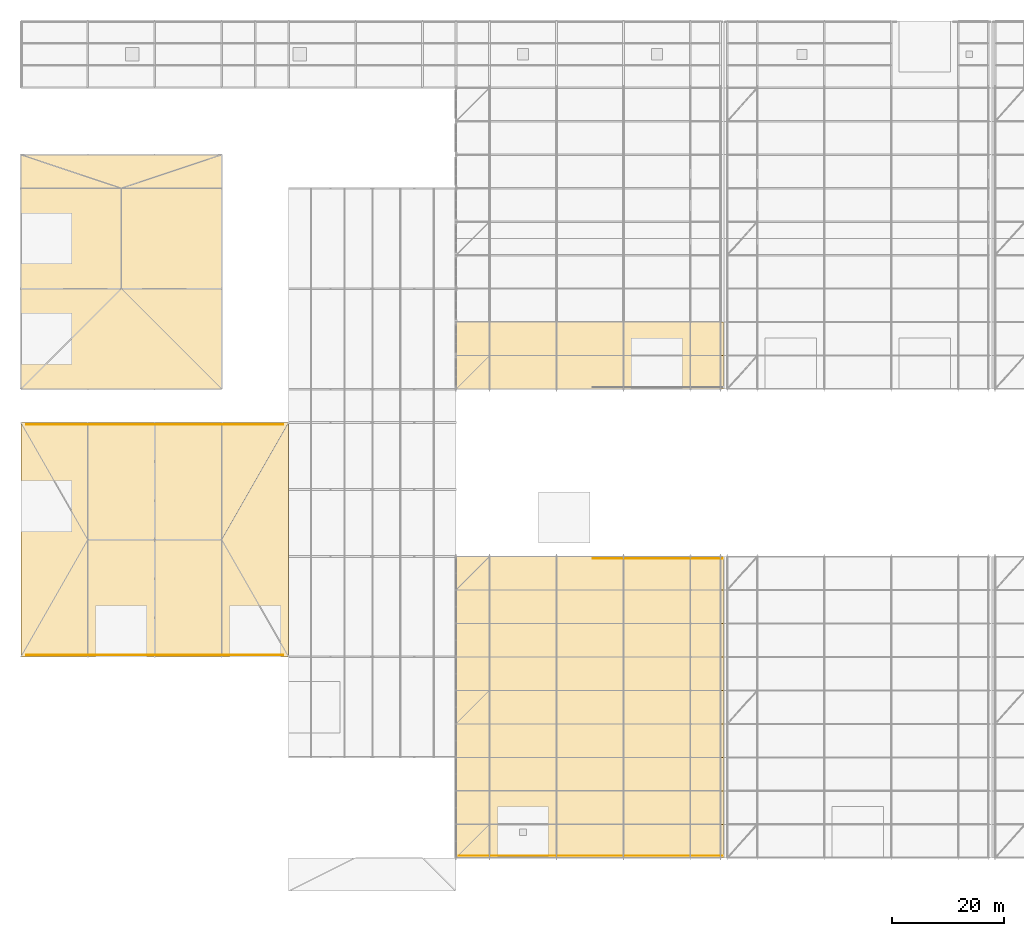
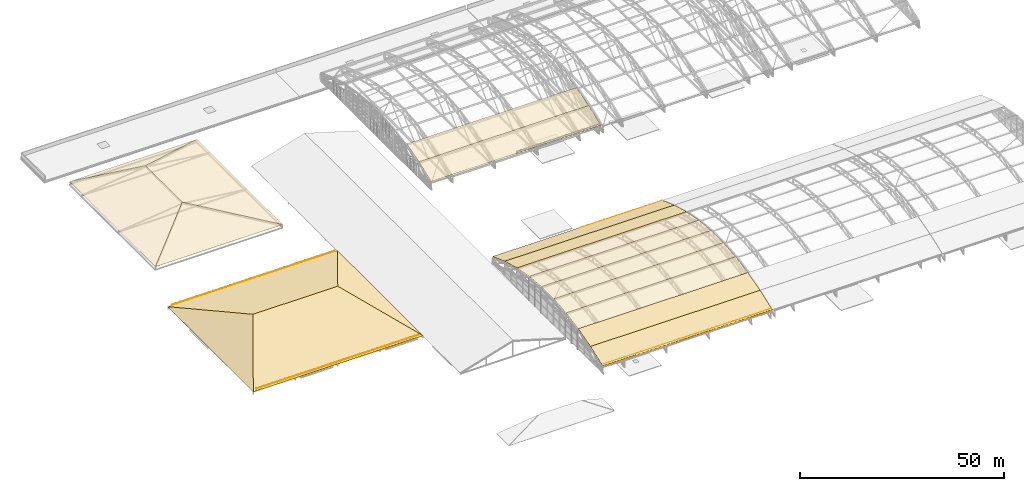
# One storey, part 203 of 204: 19 coverings, 4 railings.
"""IFC4 building model written with IfcOpenShell, lengths in metres."""

from ifc_helpers import new_model, si_unit, direction, frame, origin, origin_2d, place, context, subcontext, project, spatial, polyline, circle, outline, extrude, material, layer, layer_set, type_object, element, save


model = new_model("IFC4")

# Units and contexts
model_context = context("Model", 3, precision=1e-05, world=origin(), true_north=direction((0.0, 1.0)))
body_context = subcontext(model_context, "Body", "Model", "MODEL_VIEW")
ifc_project = project(units=[si_unit("LENGTHUNIT", "METRE"), si_unit("AREAUNIT", "SQUARE_METRE"), si_unit("VOLUMEUNIT", "CUBIC_METRE"), si_unit("PLANEANGLEUNIT", "RADIAN"), si_unit("MASSUNIT", "GRAM", prefix="KILO")], contexts=[model_context])

# Site, building, storey
site_placement = place(None, origin())
site = spatial("IfcSite", under=ifc_project, at=site_placement, CompositionType="ELEMENT")
building_placement = place(site_placement, origin())
building = spatial("IfcBuilding", under=site, at=building_placement, Name="Zilviju Railside Exhibition Hall", CompositionType="ELEMENT")
storey_placement = place(building_placement, frame((0.0, 0.0, 21.0)))
storey = spatial("IfcBuildingStorey", under=building, at=storey_placement, Name="RF", CompositionType="ELEMENT", Elevation=21.0)

# Coverings
ifc_material_1 = material(Name="Patinated copper standing-seam roofing", Category="steel")
ifc_layer_1 = layer(ifc_material_1, 0.034912109375)
ifc_layer_set_1 = layer_set([ifc_layer_1], Name="Patinated copper standing-seam roofing")
covering_type_1 = type_object("IfcCoveringType", Name="COV-ROOF-COPPER", PredefinedType="ROOFING", material=ifc_layer_set_1)
for number, where, z_axis, x_axis, name in (
    (1, (0.0, 36.0, -7.885009765625), (0.0, -0.285253594774, 0.958452078441), (1.0, 0.0, 0.0), "Congress Patinated-Copper Standing-Seam Facet 1"),
    (2, (48.0, 78.0, -7.885009765625), (0.0, 0.285253594774, 0.958452078441), (-1.0, 0.0, 0.0), "Congress Patinated-Copper Standing-Seam Facet 2"),
):
    element("IfcCovering", number, at=place(storey_placement, frame(where, z_axis=z_axis, x_axis=x_axis)), inside=storey, type_object=covering_type_1, Name=name, PredefinedType="ROOFING", context=body_context, shape_type="SweptSolid", body=[
        extrude(outline(polyline([(0.0, 0.0), (48.0, 0.0), (36.0, 21.910328614605486), (12.0, 21.910328614605486), (0.0, 0.0)])), origin(), (0.0, 0.0, -1.0), 0.034912109375),
    ])
for number, where, z_axis, x_axis, name in (
    (3, (0.0, 78.0, -7.885009765625), (-0.461934418837, 0.0, 0.886914084167), (0.0, -1.0, 0.0), "Congress Patinated-Copper Standing-Seam Facet 3"),
    (4, (48.0, 36.0, -7.885009765625), (0.461934418837, 0.0, 0.886914084167), (0.0, 1.0, 0.0), "Congress Patinated-Copper Standing-Seam Facet 4"),
):
    element("IfcCovering", number, at=place(storey_placement, frame(where, z_axis=z_axis, x_axis=x_axis)), inside=storey, type_object=covering_type_1, Name=name, PredefinedType="ROOFING", context=body_context, shape_type="SweptSolid", body=[
        extrude(outline(polyline([(0.0, 0.0), (42.0, 0.0), (21.0, 13.530059127734809), (0.0, 0.0)])), origin(), (0.0, 0.0, -1.0), 0.034912109375),
    ])
ifc_material_2 = material(Name="Standing-seam patinated zinc-copper roofing", Category="steel")
ifc_layer_2 = layer(ifc_material_2, 0.0400390625)
ifc_layer_set_2 = layer_set([ifc_layer_2], Name="Standing-seam patinated zinc-copper roofing")
covering_type_2 = type_object("IfcCoveringType", Name="COV-ROOF-ZINC", PredefinedType="ROOFING", material=ifc_layer_set_2)
covering_1_placement = place(storey_placement, frame((78.0, 0.0, -5.635009765625), z_axis=(0.0, -0.345963648468, 0.938247917098), x_axis=(1.0, 0.0, 0.0)))
element("IfcCovering", 5, at=covering_1_placement, inside=storey, type_object=covering_type_2, Name="V1 Standing-Seam Roofing Facet B1.1", PredefinedType="ROOFING", context=body_context, shape_type="SweptSolid", body=[
    extrude(outline(polyline([(0.0, 0.0), (47.969970703125, 0.0), (47.969970703125, 6.394898289310824), (0.0, 6.394898289310824), (0.0, 0.0)])), origin(), (0.0, 0.0, -1.0), 0.0400390625),
])
covering_2_placement = place(storey_placement, frame((78.0, 6.0, -3.422607421875), z_axis=(0.0, -0.266527144223, 0.963827412659), x_axis=(1.0, 0.0, 0.0)))
element("IfcCovering", 6, at=covering_2_placement, inside=storey, type_object=covering_type_2, Name="V1 Standing-Seam Roofing Facet B1.2", PredefinedType="ROOFING", context=body_context, shape_type="SweptSolid", body=[
    extrude(outline(polyline([(0.0, 0.0), (47.969970703125, 0.0), (47.969970703125, 6.225180899814286), (0.0, 6.225180899814286), (0.0, 0.0)])), origin(), (0.0, 0.0, -1.0), 0.0400390625),
])
covering_3_placement = place(storey_placement, frame((78.0, 12.0, -1.763427734375), z_axis=(0.0, -0.18131112606, 0.98342578549), x_axis=(1.0, 0.0, 0.0)))
element("IfcCovering", 7, at=covering_3_placement, inside=storey, type_object=covering_type_2, Name="V1 Standing-Seam Roofing Facet B1.3", PredefinedType="ROOFING", context=body_context, shape_type="SweptSolid", body=[
    extrude(outline(polyline([(0.0, 0.0), (47.969970703125, 0.0), (47.969970703125, 6.101121293062253), (0.0, 6.101121293062253), (0.0, 0.0)])), origin(), (0.0, 0.0, -1.0), 0.0400390625),
])
covering_4_placement = place(storey_placement, frame((78.0, 18.0, -0.6572265625), z_axis=(0.0, -0.091774143746, 0.99577984843), x_axis=(1.0, 0.0, 0.0)))
element("IfcCovering", 8, at=covering_4_placement, inside=storey, type_object=covering_type_2, Name="V1 Standing-Seam Roofing Facet B1.4", PredefinedType="ROOFING", context=body_context, shape_type="SweptSolid", body=[
    extrude(outline(polyline([(0.0, 0.0), (47.969970703125, 0.0), (47.969970703125, 6.025428220362669), (0.0, 6.025428220362669), (0.0, 0.0)])), origin(), (0.0, 0.0, -1.0), 0.0400390625),
])
covering_5_placement = place(storey_placement, frame((78.0, 24.0, -0.104248046875), z_axis=(0.0, 0.0, 1.0), x_axis=(1.0, 0.0, 0.0)))
element("IfcCovering", 9, at=covering_5_placement, inside=storey, type_object=covering_type_2, Name="V1 Standing-Seam Roofing Facet B1.5", PredefinedType="ROOFING", context=body_context, shape_type="SweptSolid", body=[
    extrude(outline(polyline([(0.0, 0.0), (47.969970703125, 0.0), (47.969970703125, 6.0), (0.0, 6.0), (0.0, 0.0)])), origin(), (0.0, 0.0, -1.0), 0.0400390625),
])
covering_6_placement = place(storey_placement, frame((78.0, 30.0, -0.104248046875), z_axis=(0.0, 0.091774143746, 0.99577984843), x_axis=(1.0, 0.0, 0.0)))
element("IfcCovering", 10, at=covering_6_placement, inside=storey, type_object=covering_type_2, Name="V1 Standing-Seam Roofing Facet B1.6", PredefinedType="ROOFING", context=body_context, shape_type="SweptSolid", body=[
    extrude(outline(polyline([(0.0, 0.0), (47.969970703125, 0.0), (47.969970703125, 6.025428220362669), (0.0, 6.025428220362669), (0.0, 0.0)])), origin(), (0.0, 0.0, -1.0), 0.0400390625),
])
covering_7_placement = place(storey_placement, frame((78.0, 36.0, -0.6572265625), z_axis=(0.0, 0.18131112606, 0.98342578549), x_axis=(1.0, 0.0, 0.0)))
element("IfcCovering", 11, at=covering_7_placement, inside=storey, type_object=covering_type_2, Name="V1 Standing-Seam Roofing Facet B1.7", PredefinedType="ROOFING", context=body_context, shape_type="SweptSolid", body=[
    extrude(outline(polyline([(0.0, 0.0), (47.969970703125, 0.0), (47.969970703125, 6.101121293062253), (0.0, 6.101121293062253), (0.0, 0.0)])), origin(), (0.0, 0.0, -1.0), 0.0400390625),
])
covering_8_placement = place(storey_placement, frame((78.0, 42.0, -1.763427734375), z_axis=(0.0, 0.266527144223, 0.963827412659), x_axis=(1.0, 0.0, 0.0)))
element("IfcCovering", 12, at=covering_8_placement, inside=storey, type_object=covering_type_2, Name="V1 Standing-Seam Roofing Facet B1.8", PredefinedType="ROOFING", context=body_context, shape_type="SweptSolid", body=[
    extrude(outline(polyline([(0.0, 0.0), (47.969970703125, 0.0), (47.969970703125, 6.225180899814286), (0.0, 6.225180899814286), (0.0, 0.0)])), origin(), (0.0, 0.0, -1.0), 0.0400390625),
])
covering_9_placement = place(storey_placement, frame((78.0, 48.0, -3.422607421875), z_axis=(0.0, 0.345963648468, 0.938247917098), x_axis=(1.0, 0.0, 0.0)))
element("IfcCovering", 13, at=covering_9_placement, inside=storey, type_object=covering_type_2, Name="V1 Standing-Seam Roofing Facet B1.9", PredefinedType="ROOFING", context=body_context, shape_type="SweptSolid", body=[
    extrude(outline(polyline([(0.0, 0.0), (47.969970703125, 0.0), (47.969970703125, 6.394898289310824), (0.0, 6.394898289310824), (0.0, 0.0)])), origin(), (0.0, 0.0, -1.0), 0.0400390625),
])
covering_10_placement = place(storey_placement, frame((78.0, 84.0, -1.425048828125), z_axis=(0.0, -0.35678239229, 0.934187521086), x_axis=(1.0, 0.0, 0.0)))
element("IfcCovering", 14, at=covering_10_placement, inside=storey, type_object=covering_type_2, Name="V2 Standing-Seam Roofing Facet B1.1", PredefinedType="ROOFING", context=body_context, shape_type="SweptSolid", body=[
    extrude(outline(polyline([(0.0, 0.0), (47.969970703125, 0.0), (47.969970703125, 6.422693372126603), (0.0, 6.422693372126603), (0.0, 0.0)])), origin(), (0.0, 0.0, -1.0), 0.0400390625),
])
covering_11_placement = place(storey_placement, frame((78.0, 90.0, 0.866455078125), z_axis=(0.0, -0.275346207512, 0.961345133658), x_axis=(1.0, 0.0, 0.0)))
element("IfcCovering", 15, at=covering_11_placement, inside=storey, type_object=covering_type_2, Name="V2 Standing-Seam Roofing Facet B1.2", PredefinedType="ROOFING", context=body_context, shape_type="SweptSolid", body=[
    extrude(outline(polyline([(0.0, 0.0), (47.969970703125, 0.0), (47.969970703125, 6.241254872916681), (0.0, 6.241254872916681), (0.0, 0.0)])), origin(), (0.0, 0.0, -1.0), 0.0400390625),
])
covering_12_placement = place(storey_placement, frame((0.0, 84.0, 0.419921875), z_axis=(-0.11588601599, 0.0, 0.993262518823), x_axis=(0.0, 1.0, 0.0)))
element("IfcCovering", 16, at=covering_12_placement, inside=storey, type_object=covering_type_2, Name="Directorate Slate-Zinc Standing-Seam Facet 1", PredefinedType="ROOFING", context=body_context, shape_type="SweptSolid", body=[
    extrude(outline(polyline([(0.0, 0.0), (42.0, 0.0), (36.0, -18.122097289380903), (18.0, -18.122097289380903), (0.0, 0.0)])), origin(), (0.0, 0.0, -1.0), 0.0400390625),
])
covering_13_placement = place(storey_placement, frame((36.0, 126.0, 0.419921875), z_axis=(0.11588601599, 0.0, 0.993262518823), x_axis=(0.0, -1.0, 0.0)))
element("IfcCovering", 17, at=covering_13_placement, inside=storey, type_object=covering_type_2, Name="Directorate Slate-Zinc Standing-Seam Facet 2", PredefinedType="ROOFING", context=body_context, shape_type="SweptSolid", body=[
    extrude(outline(polyline([(0.0, 0.0), (42.0, 0.0), (24.0, -18.122097289380903), (6.0, -18.122097289380903), (0.0, 0.0)])), origin(), (0.0, 0.0, -1.0), 0.0400390625),
])
covering_14_placement = place(storey_placement, frame((0.0, 84.0, 0.419921875), z_axis=(0.0, -0.11588601599, 0.993262518823), x_axis=(1.0, 0.0, 0.0)))
element("IfcCovering", 18, at=covering_14_placement, inside=storey, type_object=covering_type_2, Name="Directorate Slate-Zinc Standing-Seam Facet 3", PredefinedType="ROOFING", context=body_context, shape_type="SweptSolid", body=[
    extrude(outline(polyline([(0.0, 0.0), (36.0, 0.0), (18.0, 18.122097289380907), (0.0, 0.0)])), origin(), (0.0, 0.0, -1.0), 0.0400390625),
])
covering_15_placement = place(storey_placement, frame((36.0, 126.0, 0.419921875), z_axis=(0.0, 0.330364110395, 0.943853566271), x_axis=(-1.0, 0.0, 0.0)))
element("IfcCovering", 19, at=covering_15_placement, inside=storey, type_object=covering_type_2, Name="Directorate Slate-Zinc Standing-Seam Facet 4", PredefinedType="ROOFING", context=body_context, shape_type="SweptSolid", body=[
    extrude(outline(polyline([(0.0, 0.0), (36.0, 0.0), (18.0, 6.356918291577039), (0.0, 0.0)])), origin(), (0.0, 0.0, -1.0), 0.0400390625),
])

# Railings
ifc_material_3 = material(Name="Galvanized steel twin-tube roof snow-retention guard", Category="steel")
railing_type = type_object("IfcRailingType", Name="RL-SNOW-350", PredefinedType="GUARDRAIL", material=ifc_material_3)
railing_1_placement = place(storey_placement, frame((78.5, 0.35009765625, -5.89990234375)))
element("IfcRailing", 20, at=railing_1_placement, inside=storey, type_object=railing_type, Name="Roof Eave Snow-Retention Guard SN-V1-S", PredefinedType="GUARDRAIL", context=body_context, shape_type="SweptSolid", body=[
    extrude(circle(Radius=0.02392578125, at=origin_2d()), frame((0.021728515625, 0.0, 0.326171875), z_axis=(1.0, 0.0, 0.0), x_axis=(0.0, 1.0, 0.0)), (0.0, 0.0, 1.0), 47.25634765625),
    extrude(circle(Radius=0.02099609375, at=origin_2d()), origin(), (0.0, 0.0, 1.0), 0.35009765625),
    extrude(circle(Radius=0.02099609375, at=origin_2d()), frame((1.1826171875, 0.0, 0.0)), (0.0, 0.0, 1.0), 0.35009765625),
    extrude(circle(Radius=0.02099609375, at=origin_2d()), frame((2.364990234375, 0.0, 0.0)), (0.0, 0.0, 1.0), 0.35009765625),
    extrude(circle(Radius=0.02099609375, at=origin_2d()), frame((3.547607421875, 0.0, 0.0)), (0.0, 0.0, 1.0), 0.35009765625),
    extrude(circle(Radius=0.02099609375, at=origin_2d()), frame((4.72998046875, 0.0, 0.0)), (0.0, 0.0, 1.0), 0.35009765625),
    extrude(circle(Radius=0.02099609375, at=origin_2d()), frame((5.91259765625, 0.0, 0.0)), (0.0, 0.0, 1.0), 0.35009765625),
    extrude(circle(Radius=0.02099609375, at=origin_2d()), frame((7.094970703125, 0.0, 0.0)), (0.0, 0.0, 1.0), 0.35009765625),
    extrude(circle(Radius=0.02099609375, at=origin_2d()), frame((8.277587890625, 0.0, 0.0)), (0.0, 0.0, 1.0), 0.35009765625),
    extrude(circle(Radius=0.02099609375, at=origin_2d()), frame((9.4599609375, 0.0, 0.0)), (0.0, 0.0, 1.0), 0.35009765625),
    extrude(circle(Radius=0.02099609375, at=origin_2d()), frame((10.642578125, 0.0, 0.0)), (0.0, 0.0, 1.0), 0.35009765625),
    extrude(circle(Radius=0.02099609375, at=origin_2d()), frame((11.824951171875, 0.0, 0.0)), (0.0, 0.0, 1.0), 0.35009765625),
    extrude(circle(Radius=0.02099609375, at=origin_2d()), frame((13.007568359375, 0.0, 0.0)), (0.0, 0.0, 1.0), 0.35009765625),
    extrude(circle(Radius=0.02099609375, at=origin_2d()), frame((14.18994140625, 0.0, 0.0)), (0.0, 0.0, 1.0), 0.35009765625),
    extrude(circle(Radius=0.02099609375, at=origin_2d()), frame((15.37255859375, 0.0, 0.0)), (0.0, 0.0, 1.0), 0.35009765625),
    extrude(circle(Radius=0.02099609375, at=origin_2d()), frame((16.554931640625, 0.0, 0.0)), (0.0, 0.0, 1.0), 0.35009765625),
    extrude(circle(Radius=0.02099609375, at=origin_2d()), frame((17.737548828125, 0.0, 0.0)), (0.0, 0.0, 1.0), 0.35009765625),
    extrude(circle(Radius=0.02099609375, at=origin_2d()), frame((18.919921875, 0.0, 0.0)), (0.0, 0.0, 1.0), 0.35009765625),
    extrude(circle(Radius=0.02099609375, at=origin_2d()), frame((20.1025390625, 0.0, 0.0)), (0.0, 0.0, 1.0), 0.35009765625),
    extrude(circle(Radius=0.02099609375, at=origin_2d()), frame((21.284912109375, 0.0, 0.0)), (0.0, 0.0, 1.0), 0.35009765625),
    extrude(circle(Radius=0.02099609375, at=origin_2d()), frame((22.467529296875, 0.0, 0.0)), (0.0, 0.0, 1.0), 0.35009765625),
    extrude(circle(Radius=0.02099609375, at=origin_2d()), frame((23.64990234375, 0.0, 0.0)), (0.0, 0.0, 1.0), 0.35009765625),
    extrude(circle(Radius=0.02099609375, at=origin_2d()), frame((24.83251953125, 0.0, 0.0)), (0.0, 0.0, 1.0), 0.35009765625),
    extrude(circle(Radius=0.02099609375, at=origin_2d()), frame((26.01513671875, 0.0, 0.0)), (0.0, 0.0, 1.0), 0.35009765625),
    extrude(circle(Radius=0.02099609375, at=origin_2d()), frame((27.197509765625, 0.0, 0.0)), (0.0, 0.0, 1.0), 0.35009765625),
    extrude(circle(Radius=0.02099609375, at=origin_2d()), frame((28.380126953125, 0.0, 0.0)), (0.0, 0.0, 1.0), 0.35009765625),
    extrude(circle(Radius=0.02099609375, at=origin_2d()), frame((29.5625, 0.0, 0.0)), (0.0, 0.0, 1.0), 0.35009765625),
    extrude(circle(Radius=0.02099609375, at=origin_2d()), frame((30.7451171875, 0.0, 0.0)), (0.0, 0.0, 1.0), 0.35009765625),
    extrude(circle(Radius=0.02099609375, at=origin_2d()), frame((31.927490234375, 0.0, 0.0)), (0.0, 0.0, 1.0), 0.35009765625),
    extrude(circle(Radius=0.02099609375, at=origin_2d()), frame((33.110107421875, 0.0, 0.0)), (0.0, 0.0, 1.0), 0.35009765625),
    extrude(circle(Radius=0.02099609375, at=origin_2d()), frame((34.29248046875, 0.0, 0.0)), (0.0, 0.0, 1.0), 0.35009765625),
    extrude(circle(Radius=0.02099609375, at=origin_2d()), frame((35.47509765625, 0.0, 0.0)), (0.0, 0.0, 1.0), 0.35009765625),
    extrude(circle(Radius=0.02099609375, at=origin_2d()), frame((36.657470703125, 0.0, 0.0)), (0.0, 0.0, 1.0), 0.35009765625),
    extrude(circle(Radius=0.02099609375, at=origin_2d()), frame((37.840087890625, 0.0, 0.0)), (0.0, 0.0, 1.0), 0.35009765625),
    extrude(circle(Radius=0.02099609375, at=origin_2d()), frame((39.0224609375, 0.0, 0.0)), (0.0, 0.0, 1.0), 0.35009765625),
    extrude(circle(Radius=0.02099609375, at=origin_2d()), frame((40.205078125, 0.0, 0.0)), (0.0, 0.0, 1.0), 0.35009765625),
    extrude(circle(Radius=0.02099609375, at=origin_2d()), frame((41.387451171875, 0.0, 0.0)), (0.0, 0.0, 1.0), 0.35009765625),
    extrude(circle(Radius=0.02099609375, at=origin_2d()), frame((42.570068359375, 0.0, 0.0)), (0.0, 0.0, 1.0), 0.35009765625),
    extrude(circle(Radius=0.02099609375, at=origin_2d()), frame((43.75244140625, 0.0, 0.0)), (0.0, 0.0, 1.0), 0.35009765625),
    extrude(circle(Radius=0.02099609375, at=origin_2d()), frame((44.93505859375, 0.0, 0.0)), (0.0, 0.0, 1.0), 0.35009765625),
    extrude(circle(Radius=0.02099609375, at=origin_2d()), frame((46.117431640625, 0.0, 0.0)), (0.0, 0.0, 1.0), 0.35009765625),
    extrude(circle(Radius=0.02099609375, at=origin_2d()), frame((47.300048828125, 0.0, 0.0)), (0.0, 0.0, 1.0), 0.35009765625),
])
railing_2_placement = place(storey_placement, frame((102.5, 53.64990234375, -5.89990234375)))
element("IfcRailing", 21, at=railing_2_placement, inside=storey, type_object=railing_type, Name="Roof Eave Snow-Retention Guard SN-V1-N", PredefinedType="GUARDRAIL", context=body_context, shape_type="SweptSolid", body=[
    extrude(circle(Radius=0.02392578125, at=origin_2d()), frame((0.021728515625, 0.0, 0.326171875), z_axis=(1.0, 0.0, 0.0), x_axis=(0.0, 1.0, 0.0)), (0.0, 0.0, 1.0), 23.25634765625),
    extrude(circle(Radius=0.02099609375, at=origin_2d()), origin(), (0.0, 0.0, 1.0), 0.35009765625),
    extrude(circle(Radius=0.02099609375, at=origin_2d()), frame((1.1650390625, 0.0, 0.0)), (0.0, 0.0, 1.0), 0.35009765625),
    extrude(circle(Radius=0.02099609375, at=origin_2d()), frame((2.330078125, 0.0, 0.0)), (0.0, 0.0, 1.0), 0.35009765625),
    extrude(circle(Radius=0.02099609375, at=origin_2d()), frame((3.4951171875, 0.0, 0.0)), (0.0, 0.0, 1.0), 0.35009765625),
    extrude(circle(Radius=0.02099609375, at=origin_2d()), frame((4.659912109375, 0.0, 0.0)), (0.0, 0.0, 1.0), 0.35009765625),
    extrude(circle(Radius=0.02099609375, at=origin_2d()), frame((5.824951171875, 0.0, 0.0)), (0.0, 0.0, 1.0), 0.35009765625),
    extrude(circle(Radius=0.02099609375, at=origin_2d()), frame((6.989990234375, 0.0, 0.0)), (0.0, 0.0, 1.0), 0.35009765625),
    extrude(circle(Radius=0.02099609375, at=origin_2d()), frame((8.155029296875, 0.0, 0.0)), (0.0, 0.0, 1.0), 0.35009765625),
    extrude(circle(Radius=0.02099609375, at=origin_2d()), frame((9.320068359375, 0.0, 0.0)), (0.0, 0.0, 1.0), 0.35009765625),
    extrude(circle(Radius=0.02099609375, at=origin_2d()), frame((10.485107421875, 0.0, 0.0)), (0.0, 0.0, 1.0), 0.35009765625),
    extrude(circle(Radius=0.02099609375, at=origin_2d()), frame((11.64990234375, 0.0, 0.0)), (0.0, 0.0, 1.0), 0.35009765625),
    extrude(circle(Radius=0.02099609375, at=origin_2d()), frame((12.81494140625, 0.0, 0.0)), (0.0, 0.0, 1.0), 0.35009765625),
    extrude(circle(Radius=0.02099609375, at=origin_2d()), frame((13.97998046875, 0.0, 0.0)), (0.0, 0.0, 1.0), 0.35009765625),
    extrude(circle(Radius=0.02099609375, at=origin_2d()), frame((15.14501953125, 0.0, 0.0)), (0.0, 0.0, 1.0), 0.35009765625),
    extrude(circle(Radius=0.02099609375, at=origin_2d()), frame((16.31005859375, 0.0, 0.0)), (0.0, 0.0, 1.0), 0.35009765625),
    extrude(circle(Radius=0.02099609375, at=origin_2d()), frame((17.47509765625, 0.0, 0.0)), (0.0, 0.0, 1.0), 0.35009765625),
    extrude(circle(Radius=0.02099609375, at=origin_2d()), frame((18.64013671875, 0.0, 0.0)), (0.0, 0.0, 1.0), 0.35009765625),
    extrude(circle(Radius=0.02099609375, at=origin_2d()), frame((19.804931640625, 0.0, 0.0)), (0.0, 0.0, 1.0), 0.35009765625),
    extrude(circle(Radius=0.02099609375, at=origin_2d()), frame((20.969970703125, 0.0, 0.0)), (0.0, 0.0, 1.0), 0.35009765625),
    extrude(circle(Radius=0.02099609375, at=origin_2d()), frame((22.135009765625, 0.0, 0.0)), (0.0, 0.0, 1.0), 0.35009765625),
    extrude(circle(Radius=0.02099609375, at=origin_2d()), frame((23.300048828125, 0.0, 0.0)), (0.0, 0.0, 1.0), 0.35009765625),
])
railing_3_placement = place(storey_placement, frame((1.0, 36.35009765625, -7.800048828125)))
element("IfcRailing", 22, at=railing_3_placement, inside=storey, type_object=railing_type, Name="Roof Eave Snow-Retention Guard SN-V4-S", PredefinedType="GUARDRAIL", context=body_context, shape_type="SweptSolid", body=[
    extrude(circle(Radius=0.02392578125, at=origin_2d()), frame((0.021728515625, 0.0, 0.326171875), z_axis=(1.0, 0.0, 0.0), x_axis=(0.0, 1.0, 0.0)), (0.0, 0.0, 1.0), 45.956298828125),
    extrude(circle(Radius=0.02099609375, at=origin_2d()), origin(), (0.0, 0.0, 1.0), 0.35009765625),
    extrude(circle(Radius=0.02099609375, at=origin_2d()), frame((1.179443359375, 0.0, 0.0)), (0.0, 0.0, 1.0), 0.35009765625),
    extrude(circle(Radius=0.02099609375, at=origin_2d()), frame((2.35888671875, 0.0, 0.0)), (0.0, 0.0, 1.0), 0.35009765625),
    extrude(circle(Radius=0.02099609375, at=origin_2d()), frame((3.53857421875, 0.0, 0.0)), (0.0, 0.0, 1.0), 0.35009765625),
    extrude(circle(Radius=0.02099609375, at=origin_2d()), frame((4.718017578125, 0.0, 0.0)), (0.0, 0.0, 1.0), 0.35009765625),
    extrude(circle(Radius=0.02099609375, at=origin_2d()), frame((5.8974609375, 0.0, 0.0)), (0.0, 0.0, 1.0), 0.35009765625),
    extrude(circle(Radius=0.02099609375, at=origin_2d()), frame((7.076904296875, 0.0, 0.0)), (0.0, 0.0, 1.0), 0.35009765625),
    extrude(circle(Radius=0.02099609375, at=origin_2d()), frame((8.25634765625, 0.0, 0.0)), (0.0, 0.0, 1.0), 0.35009765625),
    extrude(circle(Radius=0.02099609375, at=origin_2d()), frame((9.435791015625, 0.0, 0.0)), (0.0, 0.0, 1.0), 0.35009765625),
    extrude(circle(Radius=0.02099609375, at=origin_2d()), frame((10.615478515625, 0.0, 0.0)), (0.0, 0.0, 1.0), 0.35009765625),
    extrude(circle(Radius=0.02099609375, at=origin_2d()), frame((11.794921875, 0.0, 0.0)), (0.0, 0.0, 1.0), 0.35009765625),
    extrude(circle(Radius=0.02099609375, at=origin_2d()), frame((12.974365234375, 0.0, 0.0)), (0.0, 0.0, 1.0), 0.35009765625),
    extrude(circle(Radius=0.02099609375, at=origin_2d()), frame((14.15380859375, 0.0, 0.0)), (0.0, 0.0, 1.0), 0.35009765625),
    extrude(circle(Radius=0.02099609375, at=origin_2d()), frame((15.333251953125, 0.0, 0.0)), (0.0, 0.0, 1.0), 0.35009765625),
    extrude(circle(Radius=0.02099609375, at=origin_2d()), frame((16.512939453125, 0.0, 0.0)), (0.0, 0.0, 1.0), 0.35009765625),
    extrude(circle(Radius=0.02099609375, at=origin_2d()), frame((17.6923828125, 0.0, 0.0)), (0.0, 0.0, 1.0), 0.35009765625),
    extrude(circle(Radius=0.02099609375, at=origin_2d()), frame((18.871826171875, 0.0, 0.0)), (0.0, 0.0, 1.0), 0.35009765625),
    extrude(circle(Radius=0.02099609375, at=origin_2d()), frame((20.05126953125, 0.0, 0.0)), (0.0, 0.0, 1.0), 0.35009765625),
    extrude(circle(Radius=0.02099609375, at=origin_2d()), frame((21.230712890625, 0.0, 0.0)), (0.0, 0.0, 1.0), 0.35009765625),
    extrude(circle(Radius=0.02099609375, at=origin_2d()), frame((22.41015625, 0.0, 0.0)), (0.0, 0.0, 1.0), 0.35009765625),
    extrude(circle(Radius=0.02099609375, at=origin_2d()), frame((23.58984375, 0.0, 0.0)), (0.0, 0.0, 1.0), 0.35009765625),
    extrude(circle(Radius=0.02099609375, at=origin_2d()), frame((24.769287109375, 0.0, 0.0)), (0.0, 0.0, 1.0), 0.35009765625),
    extrude(circle(Radius=0.02099609375, at=origin_2d()), frame((25.94873046875, 0.0, 0.0)), (0.0, 0.0, 1.0), 0.35009765625),
    extrude(circle(Radius=0.02099609375, at=origin_2d()), frame((27.128173828125, 0.0, 0.0)), (0.0, 0.0, 1.0), 0.35009765625),
    extrude(circle(Radius=0.02099609375, at=origin_2d()), frame((28.3076171875, 0.0, 0.0)), (0.0, 0.0, 1.0), 0.35009765625),
    extrude(circle(Radius=0.02099609375, at=origin_2d()), frame((29.487060546875, 0.0, 0.0)), (0.0, 0.0, 1.0), 0.35009765625),
    extrude(circle(Radius=0.02099609375, at=origin_2d()), frame((30.666748046875, 0.0, 0.0)), (0.0, 0.0, 1.0), 0.35009765625),
    extrude(circle(Radius=0.02099609375, at=origin_2d()), frame((31.84619140625, 0.0, 0.0)), (0.0, 0.0, 1.0), 0.35009765625),
    extrude(circle(Radius=0.02099609375, at=origin_2d()), frame((33.025634765625, 0.0, 0.0)), (0.0, 0.0, 1.0), 0.35009765625),
    extrude(circle(Radius=0.02099609375, at=origin_2d()), frame((34.205078125, 0.0, 0.0)), (0.0, 0.0, 1.0), 0.35009765625),
    extrude(circle(Radius=0.02099609375, at=origin_2d()), frame((35.384521484375, 0.0, 0.0)), (0.0, 0.0, 1.0), 0.35009765625),
    extrude(circle(Radius=0.02099609375, at=origin_2d()), frame((36.564208984375, 0.0, 0.0)), (0.0, 0.0, 1.0), 0.35009765625),
    extrude(circle(Radius=0.02099609375, at=origin_2d()), frame((37.74365234375, 0.0, 0.0)), (0.0, 0.0, 1.0), 0.35009765625),
    extrude(circle(Radius=0.02099609375, at=origin_2d()), frame((38.923095703125, 0.0, 0.0)), (0.0, 0.0, 1.0), 0.35009765625),
    extrude(circle(Radius=0.02099609375, at=origin_2d()), frame((40.1025390625, 0.0, 0.0)), (0.0, 0.0, 1.0), 0.35009765625),
    extrude(circle(Radius=0.02099609375, at=origin_2d()), frame((41.281982421875, 0.0, 0.0)), (0.0, 0.0, 1.0), 0.35009765625),
    extrude(circle(Radius=0.02099609375, at=origin_2d()), frame((42.46142578125, 0.0, 0.0)), (0.0, 0.0, 1.0), 0.35009765625),
    extrude(circle(Radius=0.02099609375, at=origin_2d()), frame((43.64111328125, 0.0, 0.0)), (0.0, 0.0, 1.0), 0.35009765625),
    extrude(circle(Radius=0.02099609375, at=origin_2d()), frame((44.820556640625, 0.0, 0.0)), (0.0, 0.0, 1.0), 0.35009765625),
    extrude(circle(Radius=0.02099609375, at=origin_2d()), frame((46.0, 0.0, 0.0)), (0.0, 0.0, 1.0), 0.35009765625),
])
railing_4_placement = place(storey_placement, frame((1.0, 77.64990234375, -7.800048828125)))
element("IfcRailing", 23, at=railing_4_placement, inside=storey, type_object=railing_type, Name="Roof Eave Snow-Retention Guard SN-V4-N", PredefinedType="GUARDRAIL", context=body_context, shape_type="SweptSolid", body=[
    extrude(circle(Radius=0.02392578125, at=origin_2d()), frame((0.021728515625, 0.0, 0.326171875), z_axis=(1.0, 0.0, 0.0), x_axis=(0.0, 1.0, 0.0)), (0.0, 0.0, 1.0), 45.956298828125),
    extrude(circle(Radius=0.02099609375, at=origin_2d()), origin(), (0.0, 0.0, 1.0), 0.35009765625),
    extrude(circle(Radius=0.02099609375, at=origin_2d()), frame((1.179443359375, 0.0, 0.0)), (0.0, 0.0, 1.0), 0.35009765625),
    extrude(circle(Radius=0.02099609375, at=origin_2d()), frame((2.35888671875, 0.0, 0.0)), (0.0, 0.0, 1.0), 0.35009765625),
    extrude(circle(Radius=0.02099609375, at=origin_2d()), frame((3.53857421875, 0.0, 0.0)), (0.0, 0.0, 1.0), 0.35009765625),
    extrude(circle(Radius=0.02099609375, at=origin_2d()), frame((4.718017578125, 0.0, 0.0)), (0.0, 0.0, 1.0), 0.35009765625),
    extrude(circle(Radius=0.02099609375, at=origin_2d()), frame((5.8974609375, 0.0, 0.0)), (0.0, 0.0, 1.0), 0.35009765625),
    extrude(circle(Radius=0.02099609375, at=origin_2d()), frame((7.076904296875, 0.0, 0.0)), (0.0, 0.0, 1.0), 0.35009765625),
    extrude(circle(Radius=0.02099609375, at=origin_2d()), frame((8.25634765625, 0.0, 0.0)), (0.0, 0.0, 1.0), 0.35009765625),
    extrude(circle(Radius=0.02099609375, at=origin_2d()), frame((9.435791015625, 0.0, 0.0)), (0.0, 0.0, 1.0), 0.35009765625),
    extrude(circle(Radius=0.02099609375, at=origin_2d()), frame((10.615478515625, 0.0, 0.0)), (0.0, 0.0, 1.0), 0.35009765625),
    extrude(circle(Radius=0.02099609375, at=origin_2d()), frame((11.794921875, 0.0, 0.0)), (0.0, 0.0, 1.0), 0.35009765625),
    extrude(circle(Radius=0.02099609375, at=origin_2d()), frame((12.974365234375, 0.0, 0.0)), (0.0, 0.0, 1.0), 0.35009765625),
    extrude(circle(Radius=0.02099609375, at=origin_2d()), frame((14.15380859375, 0.0, 0.0)), (0.0, 0.0, 1.0), 0.35009765625),
    extrude(circle(Radius=0.02099609375, at=origin_2d()), frame((15.333251953125, 0.0, 0.0)), (0.0, 0.0, 1.0), 0.35009765625),
    extrude(circle(Radius=0.02099609375, at=origin_2d()), frame((16.512939453125, 0.0, 0.0)), (0.0, 0.0, 1.0), 0.35009765625),
    extrude(circle(Radius=0.02099609375, at=origin_2d()), frame((17.6923828125, 0.0, 0.0)), (0.0, 0.0, 1.0), 0.35009765625),
    extrude(circle(Radius=0.02099609375, at=origin_2d()), frame((18.871826171875, 0.0, 0.0)), (0.0, 0.0, 1.0), 0.35009765625),
    extrude(circle(Radius=0.02099609375, at=origin_2d()), frame((20.05126953125, 0.0, 0.0)), (0.0, 0.0, 1.0), 0.35009765625),
    extrude(circle(Radius=0.02099609375, at=origin_2d()), frame((21.230712890625, 0.0, 0.0)), (0.0, 0.0, 1.0), 0.35009765625),
    extrude(circle(Radius=0.02099609375, at=origin_2d()), frame((22.41015625, 0.0, 0.0)), (0.0, 0.0, 1.0), 0.35009765625),
    extrude(circle(Radius=0.02099609375, at=origin_2d()), frame((23.58984375, 0.0, 0.0)), (0.0, 0.0, 1.0), 0.35009765625),
    extrude(circle(Radius=0.02099609375, at=origin_2d()), frame((24.769287109375, 0.0, 0.0)), (0.0, 0.0, 1.0), 0.35009765625),
    extrude(circle(Radius=0.02099609375, at=origin_2d()), frame((25.94873046875, 0.0, 0.0)), (0.0, 0.0, 1.0), 0.35009765625),
    extrude(circle(Radius=0.02099609375, at=origin_2d()), frame((27.128173828125, 0.0, 0.0)), (0.0, 0.0, 1.0), 0.35009765625),
    extrude(circle(Radius=0.02099609375, at=origin_2d()), frame((28.3076171875, 0.0, 0.0)), (0.0, 0.0, 1.0), 0.35009765625),
    extrude(circle(Radius=0.02099609375, at=origin_2d()), frame((29.487060546875, 0.0, 0.0)), (0.0, 0.0, 1.0), 0.35009765625),
    extrude(circle(Radius=0.02099609375, at=origin_2d()), frame((30.666748046875, 0.0, 0.0)), (0.0, 0.0, 1.0), 0.35009765625),
    extrude(circle(Radius=0.02099609375, at=origin_2d()), frame((31.84619140625, 0.0, 0.0)), (0.0, 0.0, 1.0), 0.35009765625),
    extrude(circle(Radius=0.02099609375, at=origin_2d()), frame((33.025634765625, 0.0, 0.0)), (0.0, 0.0, 1.0), 0.35009765625),
    extrude(circle(Radius=0.02099609375, at=origin_2d()), frame((34.205078125, 0.0, 0.0)), (0.0, 0.0, 1.0), 0.35009765625),
    extrude(circle(Radius=0.02099609375, at=origin_2d()), frame((35.384521484375, 0.0, 0.0)), (0.0, 0.0, 1.0), 0.35009765625),
    extrude(circle(Radius=0.02099609375, at=origin_2d()), frame((36.564208984375, 0.0, 0.0)), (0.0, 0.0, 1.0), 0.35009765625),
    extrude(circle(Radius=0.02099609375, at=origin_2d()), frame((37.74365234375, 0.0, 0.0)), (0.0, 0.0, 1.0), 0.35009765625),
    extrude(circle(Radius=0.02099609375, at=origin_2d()), frame((38.923095703125, 0.0, 0.0)), (0.0, 0.0, 1.0), 0.35009765625),
    extrude(circle(Radius=0.02099609375, at=origin_2d()), frame((40.1025390625, 0.0, 0.0)), (0.0, 0.0, 1.0), 0.35009765625),
    extrude(circle(Radius=0.02099609375, at=origin_2d()), frame((41.281982421875, 0.0, 0.0)), (0.0, 0.0, 1.0), 0.35009765625),
    extrude(circle(Radius=0.02099609375, at=origin_2d()), frame((42.46142578125, 0.0, 0.0)), (0.0, 0.0, 1.0), 0.35009765625),
    extrude(circle(Radius=0.02099609375, at=origin_2d()), frame((43.64111328125, 0.0, 0.0)), (0.0, 0.0, 1.0), 0.35009765625),
    extrude(circle(Radius=0.02099609375, at=origin_2d()), frame((44.820556640625, 0.0, 0.0)), (0.0, 0.0, 1.0), 0.35009765625),
    extrude(circle(Radius=0.02099609375, at=origin_2d()), frame((46.0, 0.0, 0.0)), (0.0, 0.0, 1.0), 0.35009765625),
])

save(model, "model.ifc")
